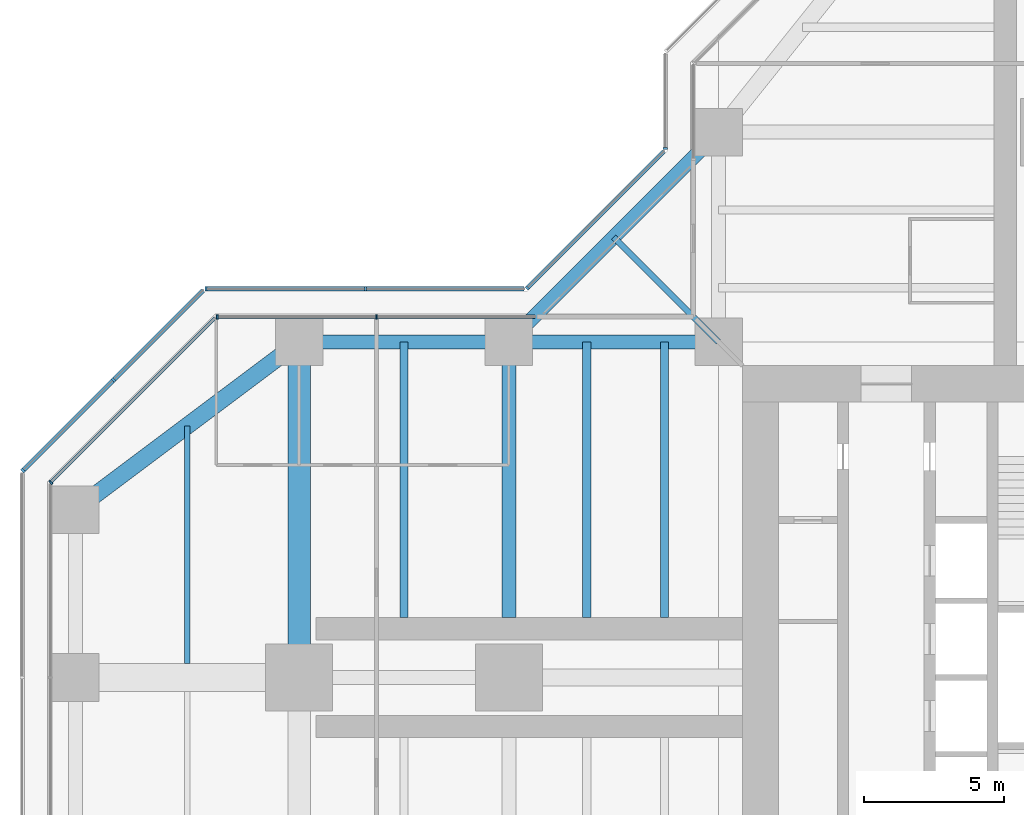
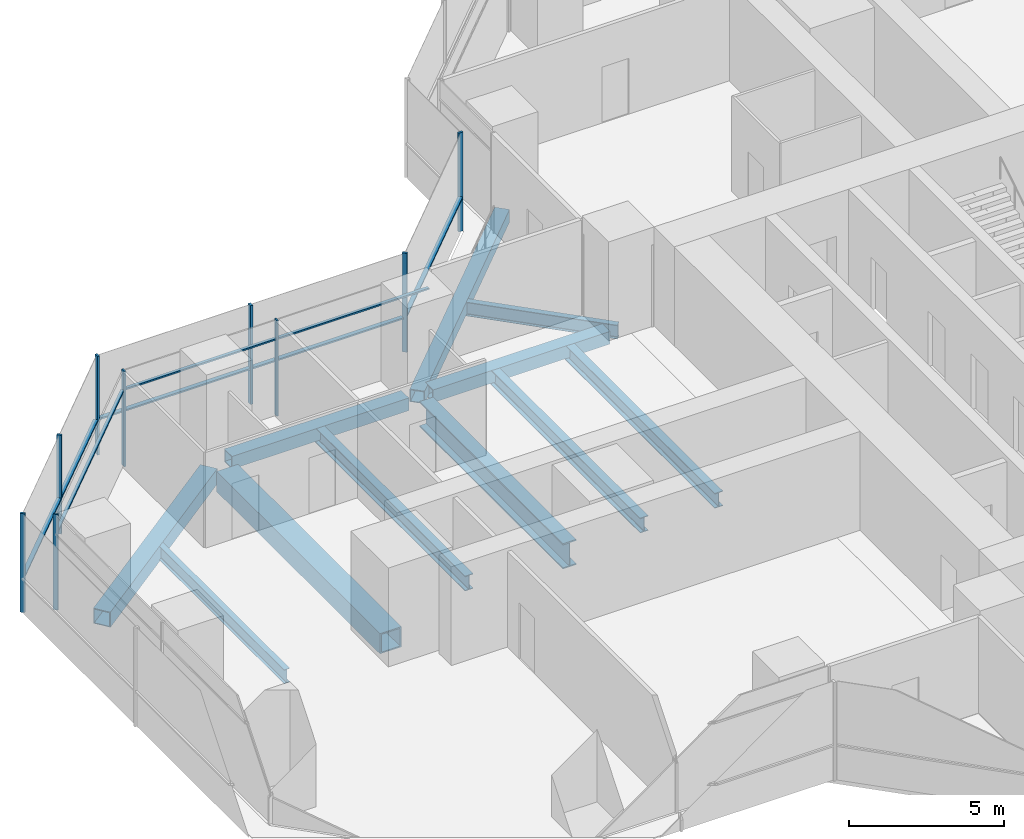
# One storey, part 7 of 19: 17 members, 11 beams, 6 elements without a shape of their own.
"""IFC4 building model written with IfcOpenShell, lengths in metres."""

from ifc_helpers import new_model, si_unit, direction, frame, origin, origin_2d, place, context, subcontext, project, spatial, rectangle, hollow_rectangle, i_section, extrude, material, material_profile, profile_set, type_object, element, aggregate, save


model = new_model("IFC4")

# Units and contexts
model_context = context("Model", 3, precision=1e-05, world=origin(), true_north=direction((0.0, 1.0)))
body_context = subcontext(model_context, "Body", "Model", "MODEL_VIEW")
ifc_project = project(units=[si_unit("LENGTHUNIT", "METRE"), si_unit("AREAUNIT", "SQUARE_METRE"), si_unit("VOLUMEUNIT", "CUBIC_METRE"), si_unit("PLANEANGLEUNIT", "RADIAN"), si_unit("MASSUNIT", "GRAM", prefix="KILO")], contexts=[model_context])

# Site, building, storey
site_placement = place(None, origin())
site = spatial("IfcSite", under=ifc_project, at=site_placement, CompositionType="ELEMENT")
building_placement = place(site_placement, origin())
building = spatial("IfcBuilding", under=site, at=building_placement, Name="Mizan Broadcast Tower", CompositionType="ELEMENT")
storey_placement = place(building_placement, frame((0.0, 0.0, 163.199951171875)))
storey = spatial("IfcBuildingStorey", under=building, at=storey_placement, Name="L37", CompositionType="ELEMENT", Elevation=163.199951171875)

# Beams
ifc_material_1 = material(Name="Steel S355", Category="steel")
ifc_material_profile_1 = material_profile(ifc_material_1, hollow_rectangle(XDim=0.5, YDim=0.5, WallThickness=0.030029296875, at=origin_2d()), Name="BOX 500x500x30")
ifc_profile_set_1 = profile_set([ifc_material_profile_1], Name="Steel S355")
beam_type_1 = type_object("IfcBeamType", Name="EDGE BEAM BOX 500x500x30", PredefinedType="SPANDREL", material=ifc_profile_set_1)
for number, where, z_axis, x_axis, name in (
    (1, (-12.449951171875, 12.0, -0.3798828125), (-1.0, 0.0, 0.0), (0.0, -1.0, 0.0), "Edge beam BOX 500x500x30 L37 west arm"),
    (2, (-19.949951171875, 12.0, -0.3798828125), (-1.0, 0.0, 0.0), (0.0, -1.0, 0.0), "Edge beam BOX 500x500x30 L37 west arm"),
):
    element("IfcBeam", number, at=place(storey_placement, frame(where, z_axis=z_axis, x_axis=x_axis)), inside=storey, type_object=beam_type_1, Name=name, PredefinedType="SPANDREL", context=body_context, shape_type="SweptSolid", body=[
        extrude(hollow_rectangle(XDim=0.5, YDim=0.5, WallThickness=0.030029296875, at=origin_2d()), origin(), (0.0, 0.0, 1.0), 6.60009765625),
    ])
beam_1_placement = place(storey_placement, frame((-12.0, 19.5, -0.3798828125), z_axis=(-0.707106781187, -0.707106781187, 0.0), x_axis=(0.707106781187, -0.707106781187, 0.0)))
element("IfcBeam", 3, at=beam_1_placement, inside=storey, type_object=beam_type_1, Name="Winter garden edge beam L37 N", PredefinedType="SPANDREL", context=body_context, shape_type="SweptSolid", body=[
    extrude(hollow_rectangle(XDim=0.5, YDim=0.5, WallThickness=0.030029296875, at=origin_2d()), origin(), (0.0, 0.0, 1.0), 10.606689453125),
])
ifc_material_2 = material(Name="Steel S355", Category="steel")
ifc_material_profile_2 = material_profile(ifc_material_2, hollow_rectangle(XDim=0.60009765625, YDim=0.60009765625, WallThickness=0.030029296875, at=origin_2d()), Name="BOX 600x600x30")
ifc_profile_set_2 = profile_set([ifc_material_profile_2], Name="Steel S355")
beam_type_2 = type_object("IfcBeamType", Name="EDGE BEAM BOX 600x600x30", PredefinedType="SPANDREL", material=ifc_profile_set_2)
beam_2_placement = place(storey_placement, frame((-27.47998046875, 11.639892578125, -0.429931640625), z_axis=(-0.800013316712, -0.599982243973, 0.0), x_axis=(0.599982243973, -0.800013316712, 0.0)))
element("IfcBeam", 4, at=beam_2_placement, inside=storey, type_object=beam_type_2, Name="Edge beam BOX 600x600x30 L37 west arm", PredefinedType="SPANDREL", context=body_context, shape_type="SweptSolid", body=[
    extrude(hollow_rectangle(XDim=0.60009765625, YDim=0.60009765625, WallThickness=0.030029296875, at=origin_2d()), origin(), (0.0, 0.0, 1.0), 8.7998046875),
])
ifc_material_3 = material(Name="Steel S460", Category="steel")
ifc_material_profile_3 = material_profile(ifc_material_3, hollow_rectangle(XDim=0.800048828125, YDim=0.800048828125, WallThickness=0.050048828125, at=origin_2d()), Name="BOX 800x800x50")
ifc_profile_set_3 = profile_set([ifc_material_profile_3], Name="Steel S460")
beam_type_3 = type_object("IfcBeamType", Name="GIRDER BOX 800x800x50", PredefinedType="BEAM", material=ifc_profile_set_3)
beam_3_placement = place(storey_placement, frame((-27.0, 11.280029296875, -0.530029296875), z_axis=(0.0, -1.0, 0.0), x_axis=(1.0, 0.0, 0.0)))
element("IfcBeam", 5, at=beam_3_placement, inside=storey, type_object=beam_type_3, Name="Girder BOX 800x800x50 L37 west arm", PredefinedType="BEAM", context=body_context, shape_type="SweptSolid", body=[
    extrude(hollow_rectangle(XDim=0.800048828125, YDim=0.800048828125, WallThickness=0.050048828125, at=origin_2d()), origin(), (0.0, 0.0, 1.0), 10.56005859375),
])
ifc_material_4 = material(Name="Steel S460", Category="steel")
ifc_material_profile_4 = material_profile(ifc_material_4, i_section(OverallWidth=0.5, OverallDepth=1.0, WebThickness=0.02490234375, FlangeThickness=0.050048828125, at=origin_2d()), Name="WPG 1000x500")
ifc_profile_set_4 = profile_set([ifc_material_profile_4], Name="Steel S460")
beam_type_4 = type_object("IfcBeamType", Name="GIRDER WPG 1000x500", PredefinedType="BEAM", material=ifc_profile_set_4)
beam_4_placement = place(storey_placement, frame((-19.5, 11.408935546875, -0.6298828125), z_axis=(0.0, -1.0, 0.0), x_axis=(1.0, 0.0, 0.0)))
element("IfcBeam", 6, at=beam_4_placement, inside=storey, type_object=beam_type_4, Name="Girder WPG 1000x500 L37 west arm", PredefinedType="BEAM", context=body_context, shape_type="SweptSolid", body=[
    extrude(i_section(OverallWidth=0.5, OverallDepth=1.0, WebThickness=0.02490234375, FlangeThickness=0.050048828125, at=origin_2d()), origin(), (0.0, 0.0, 1.0), 9.259033203125),
])

# Curtain wall, members
ifc_material_5 = material(Name="Aluminium framed glazing", Category="aluminium")
curtain_wall_type_1 = type_object("IfcCurtainWallType", Name="INNER SKIN MID ZONE", PredefinedType="USERDEFINED", material=ifc_material_5)
curtain_wall_1_placement = place(storey_placement, origin())
curtain_wall_1 = element("IfcCurtainWall", 7, at=curtain_wall_1_placement, inside=storey, type_object=curtain_wall_type_1, Name="Inner skin mid zone L37 W side", ObjectType="INNER SKIN MID ZONE", PredefinedType="USERDEFINED")
ifc_material_6 = material(Name="Aluminium, pale anodised", Category="aluminium")
ifc_material_profile_5 = material_profile(ifc_material_6, rectangle(XDim=0.159912109375, YDim=0.06005859375, at=origin_2d()), Name="MULLION 160x60")
ifc_profile_set_5 = profile_set([ifc_material_profile_5], Name="Aluminium, pale anodised")
member_type_1 = type_object("IfcMemberType", Name="INNER SKIN MULLION 60x160", PredefinedType="MULLION", material=ifc_profile_set_5)
member_1_placement = place(storey_placement, frame((-24.229248046875, 12.89990234375, 0.0), z_axis=(0.0, 0.0, 1.0), x_axis=(0.0, -1.0, 0.0)))
member_1 = element("IfcMember", 8, at=member_1_placement, type_object=member_type_1, Name="Inner skin mid zone L37 W side mullion 2", PredefinedType="MULLION", context=body_context, shape_type="SweptSolid", body=[
    extrude(rectangle(XDim=0.159912109375, YDim=0.06005859375, at=origin_2d()), origin(), (0.0, 0.0, 1.0), 3.77001953125),
])
member_2_placement = place(storey_placement, frame((-29.928466796875, 12.89990234375, 0.0), z_axis=(0.0, 0.0, 1.0), x_axis=(0.0, -1.0, 0.0)))
member_2 = element("IfcMember", 9, at=member_2_placement, type_object=member_type_1, Name="Inner skin mid zone L37 W side mullion 3", PredefinedType="MULLION", context=body_context, shape_type="SweptSolid", body=[
    extrude(rectangle(XDim=0.159912109375, YDim=0.06005859375, at=origin_2d()), origin(), (0.0, 0.0, 1.0), 3.77001953125),
])

# Curtain wall, member
curtain_wall_2_placement = place(storey_placement, origin())
curtain_wall_2 = element("IfcCurtainWall", 10, at=curtain_wall_2_placement, inside=storey, type_object=curtain_wall_type_1, Name="Inner skin mid zone L37 W chamfer", ObjectType="INNER SKIN MID ZONE", PredefinedType="USERDEFINED")
member_3_placement = place(storey_placement, frame((-35.87890625, 6.979736328125, 0.0), z_axis=(0.0, 0.0, 1.0), x_axis=(0.707106781187, -0.707106781187, 0.0)))
member_3 = element("IfcMember", 11, at=member_3_placement, type_object=member_type_1, Name="Inner skin mid zone L37 W chamfer mullion 2", PredefinedType="MULLION", context=body_context, shape_type="SweptSolid", body=[
    extrude(rectangle(XDim=0.159912109375, YDim=0.06005859375, at=origin_2d()), origin(), (0.0, 0.0, 1.0), 3.77001953125),
])

# Member
ifc_material_7 = material(Name="Aluminium, pale anodised", Category="aluminium")
ifc_material_profile_6 = material_profile(ifc_material_7, rectangle(XDim=0.1201171875, YDim=0.06005859375, at=origin_2d()), Name="TRANSOM 120x60")
ifc_profile_set_6 = profile_set([ifc_material_profile_6], Name="Aluminium, pale anodised")
member_type_2 = type_object("IfcMemberType", Name="INNER SKIN TRANSOM 60x120", PredefinedType="USERDEFINED", material=ifc_profile_set_6)
member_4_placement = place(storey_placement, frame((-18.56005859375, 12.89990234375, 3.030029296875), z_axis=(-1.0, 0.0, 0.0), x_axis=(0.0, -1.0, 0.0)))
member_4 = element("IfcMember", 12, at=member_4_placement, type_object=member_type_2, Name="Inner skin mid zone L37 W side transom 1.1", ObjectType="TRANSOM", PredefinedType="USERDEFINED", context=body_context, shape_type="SweptSolid", body=[
    extrude(rectangle(XDim=0.1201171875, YDim=0.06005859375, at=origin_2d()), origin(), (0.0, 0.0, 1.0), 5.63916015625),
])

member_5_placement = place(storey_placement, frame((-24.25927734375, 12.89990234375, 3.030029296875), z_axis=(-1.0, 0.0, 0.0), x_axis=(0.0, -1.0, 0.0)))
member_5 = element("IfcMember", 13, at=member_5_placement, type_object=member_type_2, Name="Inner skin mid zone L37 W side transom 2.1", ObjectType="TRANSOM", PredefinedType="USERDEFINED", context=body_context, shape_type="SweptSolid", body=[
    extrude(rectangle(XDim=0.1201171875, YDim=0.06005859375, at=origin_2d()), origin(), (0.0, 0.0, 1.0), 5.639404296875),
])

aggregate(curtain_wall_1, [member_1, member_2, member_4, member_5])

member_6_placement = place(storey_placement, frame((-30.0009765625, 12.857666015625, 3.030029296875), z_axis=(-0.707106781187, -0.707106781187, 0.0), x_axis=(0.707106781187, -0.707106781187, 0.0)))
member_6 = element("IfcMember", 14, at=member_6_placement, type_object=member_type_2, Name="Inner skin mid zone L37 W chamfer transom 1.1", ObjectType="TRANSOM", PredefinedType="USERDEFINED", context=body_context, shape_type="SweptSolid", body=[
    extrude(rectangle(XDim=0.1201171875, YDim=0.06005859375, at=origin_2d()), origin(), (0.0, 0.0, 1.0), 8.28271484375),
])

aggregate(curtain_wall_2, [member_3, member_6])

# Curtain wall, member
ifc_material_8 = material(Name="Aluminium framed glazing", Category="aluminium")
curtain_wall_type_2 = type_object("IfcCurtainWallType", Name="OUTER SKIN", PredefinedType="USERDEFINED", material=ifc_material_8)
curtain_wall_3_placement = place(storey_placement, origin())
curtain_wall_3 = element("IfcCurtainWall", 15, at=curtain_wall_3_placement, inside=storey, type_object=curtain_wall_type_2, Name="Outer skin L37 N side", ObjectType="OUTER SKIN", PredefinedType="USERDEFINED")
ifc_material_9 = material(Name="Aluminium, pale anodised", Category="aluminium")
ifc_material_profile_7 = material_profile(ifc_material_9, rectangle(XDim=0.159912109375, YDim=0.080078125, at=origin_2d()), Name="MULLION 160x80")
ifc_profile_set_7 = profile_set([ifc_material_profile_7], Name="Aluminium, pale anodised")
member_type_3 = type_object("IfcMemberType", Name="OUTER SKIN MULLION 80x160", PredefinedType="MULLION", material=ifc_profile_set_7)
member_7_placement = place(storey_placement, frame((-13.89990234375, 18.912841796875, 0.0), z_axis=(0.0, 0.0, 1.0), x_axis=(1.0, 0.0, 0.0)))
member_7 = element("IfcMember", 16, at=member_7_placement, type_object=member_type_3, Name="Outer skin L37 N side mullion 2", PredefinedType="MULLION", context=body_context, shape_type="SweptSolid", body=[
    extrude(rectangle(XDim=0.159912109375, YDim=0.080078125, at=origin_2d()), origin(), (0.0, 0.0, 1.0), 3.900146484375),
])
aggregate(curtain_wall_3, [member_7])

curtain_wall_4_placement = place(storey_placement, origin())
curtain_wall_4 = element("IfcCurtainWall", 17, at=curtain_wall_4_placement, inside=storey, type_object=curtain_wall_type_2, Name="Outer skin L37 W chamfer", ObjectType="OUTER SKIN", PredefinedType="USERDEFINED")
member_8_placement = place(storey_placement, frame((-18.844482421875, 13.92822265625, 0.0), z_axis=(0.0, 0.0, 1.0), x_axis=(0.707106781187, -0.707106781187, 0.0)))
member_8 = element("IfcMember", 18, at=member_8_placement, type_object=member_type_3, Name="Outer skin L37 W chamfer mullion 2", PredefinedType="MULLION", context=body_context, shape_type="SweptSolid", body=[
    extrude(rectangle(XDim=0.159912109375, YDim=0.080078125, at=origin_2d()), origin(), (0.0, 0.0, 1.0), 3.900146484375),
])

# Curtain wall, members
curtain_wall_5_placement = place(storey_placement, origin())
curtain_wall_5 = element("IfcCurtainWall", 19, at=curtain_wall_5_placement, inside=storey, type_object=curtain_wall_type_2, Name="Outer skin L37 W side", ObjectType="OUTER SKIN", PredefinedType="USERDEFINED")
member_9_placement = place(storey_placement, frame((-24.622802734375, 13.89990234375, 0.0), z_axis=(0.0, 0.0, 1.0), x_axis=(0.0, -1.0, 0.0)))
member_9 = element("IfcMember", 20, at=member_9_placement, type_object=member_type_3, Name="Outer skin L37 W side mullion 2", PredefinedType="MULLION", context=body_context, shape_type="SweptSolid", body=[
    extrude(rectangle(XDim=0.159912109375, YDim=0.080078125, at=origin_2d()), origin(), (0.0, 0.0, 1.0), 3.900146484375),
])
member_10_placement = place(storey_placement, frame((-30.332763671875, 13.89990234375, 0.0), z_axis=(0.0, 0.0, 1.0), x_axis=(0.0, -1.0, 0.0)))
member_10 = element("IfcMember", 21, at=member_10_placement, type_object=member_type_3, Name="Outer skin L37 W side mullion 3", PredefinedType="MULLION", context=body_context, shape_type="SweptSolid", body=[
    extrude(rectangle(XDim=0.159912109375, YDim=0.080078125, at=origin_2d()), origin(), (0.0, 0.0, 1.0), 3.900146484375),
])

curtain_wall_6_placement = place(storey_placement, origin())
curtain_wall_6 = element("IfcCurtainWall", 22, at=curtain_wall_6_placement, inside=storey, type_object=curtain_wall_type_2, Name="Outer skin L37 W chamfer", ObjectType="OUTER SKIN", PredefinedType="USERDEFINED")
member_11_placement = place(storey_placement, frame((-33.636474609375, 10.636474609375, 0.0), z_axis=(0.0, 0.0, 1.0), x_axis=(0.707106781187, -0.707106781187, 0.0)))
member_11 = element("IfcMember", 23, at=member_11_placement, type_object=member_type_3, Name="Outer skin L37 W chamfer mullion 2", PredefinedType="MULLION", context=body_context, shape_type="SweptSolid", body=[
    extrude(rectangle(XDim=0.159912109375, YDim=0.080078125, at=origin_2d()), origin(), (0.0, 0.0, 1.0), 3.900146484375),
])
member_12_placement = place(storey_placement, frame((-36.871826171875, 7.401123046875, 0.0), z_axis=(0.0, 0.0, 1.0), x_axis=(0.707106781187, -0.707106781187, 0.0)))
member_12 = element("IfcMember", 24, at=member_12_placement, type_object=member_type_3, Name="Outer skin L37 W chamfer mullion 3", PredefinedType="MULLION", context=body_context, shape_type="SweptSolid", body=[
    extrude(rectangle(XDim=0.159912109375, YDim=0.080078125, at=origin_2d()), origin(), (0.0, 0.0, 1.0), 3.900146484375),
])

# Member
ifc_material_10 = material(Name="Aluminium, pale anodised", Category="aluminium")
ifc_material_profile_8 = material_profile(ifc_material_10, rectangle(XDim=0.159912109375, YDim=0.06005859375, at=origin_2d()), Name="TRANSOM 160x60")
ifc_profile_set_8 = profile_set([ifc_material_profile_8], Name="Aluminium, pale anodised")
member_type_4 = type_object("IfcMemberType", Name="OUTER SKIN TRANSOM 60x160", PredefinedType="USERDEFINED", material=ifc_profile_set_8)
member_13_placement = place(storey_placement, frame((-13.95654296875, 18.816162109375, 1.400146484375), z_axis=(-0.707106781187, -0.707106781187, 0.0), x_axis=(0.707106781187, -0.707106781187, 0.0)))
member_13 = element("IfcMember", 25, at=member_13_placement, type_object=member_type_4, Name="Outer skin L37 W chamfer transom 1.1", ObjectType="TRANSOM", PredefinedType="USERDEFINED", context=body_context, shape_type="SweptSolid", body=[
    extrude(rectangle(XDim=0.159912109375, YDim=0.06005859375, at=origin_2d()), origin(), (0.0, 0.0, 1.0), 6.87255859375),
])

aggregate(curtain_wall_4, [member_8, member_13])

member_14_placement = place(storey_placement, frame((-18.952880859375, 13.89990234375, 1.400146484375), z_axis=(-1.0, 0.0, 0.0), x_axis=(0.0, -1.0, 0.0)))
member_14 = element("IfcMember", 26, at=member_14_placement, type_object=member_type_4, Name="Outer skin L37 W side transom 1.1", ObjectType="TRANSOM", PredefinedType="USERDEFINED", context=body_context, shape_type="SweptSolid", body=[
    extrude(rectangle(XDim=0.159912109375, YDim=0.06005859375, at=origin_2d()), origin(), (0.0, 0.0, 1.0), 5.6298828125),
])

member_15_placement = place(storey_placement, frame((-24.662841796875, 13.89990234375, 1.400146484375), z_axis=(-1.0, 0.0, 0.0), x_axis=(0.0, -1.0, 0.0)))
member_15 = element("IfcMember", 27, at=member_15_placement, type_object=member_type_4, Name="Outer skin L37 W side transom 2.1", ObjectType="TRANSOM", PredefinedType="USERDEFINED", context=body_context, shape_type="SweptSolid", body=[
    extrude(rectangle(XDim=0.159912109375, YDim=0.06005859375, at=origin_2d()), origin(), (0.0, 0.0, 1.0), 5.6298828125),
])

aggregate(curtain_wall_5, [member_9, member_10, member_14, member_15])

member_16_placement = place(storey_placement, frame((-30.429443359375, 13.843505859375, 1.400146484375), z_axis=(-0.707106781187, -0.707106781187, 0.0), x_axis=(0.707106781187, -0.707106781187, 0.0)))
member_16 = element("IfcMember", 28, at=member_16_placement, type_object=member_type_4, Name="Outer skin L37 W chamfer transom 1.1", ObjectType="TRANSOM", PredefinedType="USERDEFINED", context=body_context, shape_type="SweptSolid", body=[
    extrude(rectangle(XDim=0.159912109375, YDim=0.06005859375, at=origin_2d()), origin(), (0.0, 0.0, 1.0), 4.495361328125),
])

member_17_placement = place(storey_placement, frame((-33.664794921875, 10.608154296875, 1.400146484375), z_axis=(-0.707106781187, -0.707106781187, 0.0), x_axis=(0.707106781187, -0.707106781187, 0.0)))
member_17 = element("IfcMember", 29, at=member_17_placement, type_object=member_type_4, Name="Outer skin L37 W chamfer transom 2.1", ObjectType="TRANSOM", PredefinedType="USERDEFINED", context=body_context, shape_type="SweptSolid", body=[
    extrude(rectangle(XDim=0.159912109375, YDim=0.06005859375, at=origin_2d()), origin(), (0.0, 0.0, 1.0), 4.495361328125),
])

aggregate(curtain_wall_6, [member_11, member_12, member_16, member_17])

# Beams
ifc_material_11 = material(Name="Steel S355", Category="steel")
ifc_material_profile_9 = material_profile(ifc_material_11, i_section(OverallWidth=0.300048828125, OverallDepth=0.590087890625, WebThickness=0.012939453125, FlangeThickness=0.02490234375, FilletRadius=0.027099609375, at=origin_2d()), Name="HEA 600")
ifc_profile_set_9 = profile_set([ifc_material_profile_9], Name="Steel S355")
beam_type_5 = type_object("IfcBeamType", Name="SECONDARY BEAM HEA 600", PredefinedType="JOIST", material=ifc_profile_set_9)
for number, where, z_axis, x_axis, name in (
    (30, (-13.933349609375, 12.0, -0.425048828125), (0.0, -1.0, 0.0), (1.0, 0.0, 0.0), "Secondary beam HEA 600 L37 west arm"),
    (31, (-16.716552734375, 12.0, -0.425048828125), (0.0, -1.0, 0.0), (1.0, 0.0, 0.0), "Secondary beam HEA 600 L37 west arm"),
    (32, (-23.25, 12.0, -0.425048828125), (0.0, -1.0, 0.0), (1.0, 0.0, 0.0), "Secondary beam HEA 600 L37 west arm"),
):
    element("IfcBeam", number, at=place(storey_placement, frame(where, z_axis=z_axis, x_axis=x_axis)), inside=storey, type_object=beam_type_5, Name=name, PredefinedType="JOIST", context=body_context, shape_type="SweptSolid", body=[
        extrude(i_section(OverallWidth=0.300048828125, OverallDepth=0.590087890625, WebThickness=0.012939453125, FlangeThickness=0.02490234375, FilletRadius=0.027099609375, at=origin_2d()), origin(), (0.0, 0.0, 1.0), 9.85009765625),
    ])
ifc_material_12 = material(Name="Steel S355", Category="steel")
ifc_material_profile_10 = material_profile(ifc_material_12, i_section(OverallWidth=0.2099609375, OverallDepth=0.550048828125, WebThickness=0.010986328125, FlangeThickness=0.01708984375, FilletRadius=0.02392578125, at=origin_2d()), Name="IPE 550")
ifc_profile_set_10 = profile_set([ifc_material_profile_10], Name="Steel S355")
beam_type_6 = type_object("IfcBeamType", Name="SECONDARY BEAM IPE 550", PredefinedType="JOIST", material=ifc_profile_set_10)
beam_5_placement = place(storey_placement, frame((-31.0, 9.0, -0.405029296875), z_axis=(0.0, -1.0, 0.0), x_axis=(1.0, 0.0, 0.0)))
element("IfcBeam", 33, at=beam_5_placement, inside=storey, type_object=beam_type_6, Name="Secondary beam IPE 550 L37 west arm", PredefinedType="JOIST", context=body_context, shape_type="SweptSolid", body=[
    extrude(i_section(OverallWidth=0.2099609375, OverallDepth=0.550048828125, WebThickness=0.010986328125, FlangeThickness=0.01708984375, FilletRadius=0.02392578125, at=origin_2d()), origin(), (0.0, 0.0, 1.0), 8.5),
])
beam_6_placement = place(storey_placement, frame((-12.0, 12.0, -0.405029296875), z_axis=(-0.707106781187, 0.707106781187, 0.0), x_axis=(-0.707106781187, -0.707106781187, 0.0)))
element("IfcBeam", 34, at=beam_6_placement, inside=storey, type_object=beam_type_6, Name="Winter garden beam L37 N", PredefinedType="JOIST", context=body_context, shape_type="SweptSolid", body=[
    extrude(i_section(OverallWidth=0.2099609375, OverallDepth=0.550048828125, WebThickness=0.010986328125, FlangeThickness=0.01708984375, FilletRadius=0.02392578125, at=origin_2d()), origin(), (0.0, 0.0, 1.0), 5.30322265625),
])

save(model, "model.ifc")
